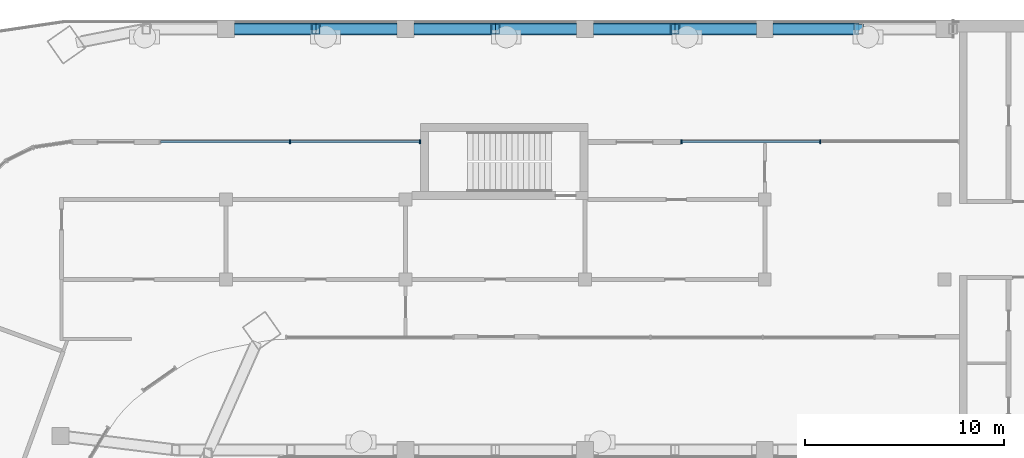
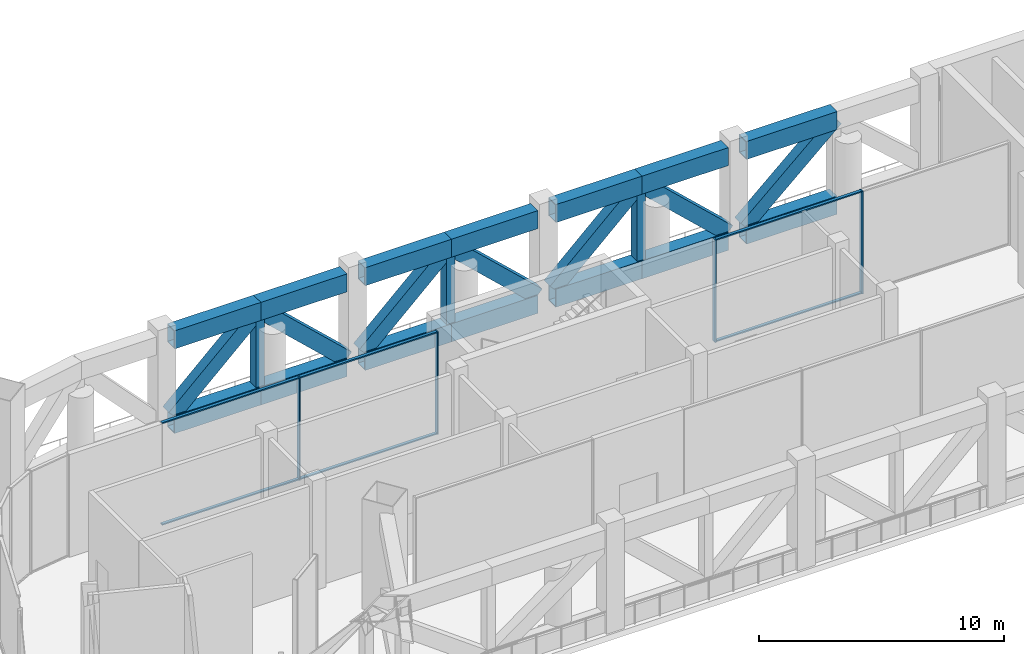
# One storey, part 5 of 19: 34 members, 2 elements without a shape of their own.
"""IFC4 building model written with IfcOpenShell, lengths in metres."""

import ifcopenshell
import ifcopenshell.guid

model = None  # the IFC model being written
_history = None  # IfcOwnerHistory: only IFC2X3 demands one
_inside = {}  # id of a spatial element -> (the spatial element, [elements in it])
_under = {}  # id of a project, library or spatial element -> (it, [spatial elements below it])
_declared = {}  # id of a project -> (the project, [libraries it declares])
_typed = {}  # id of a type object -> (the type object, [elements of that type])
_made_of = {}  # id of a material, layer set ... -> (it, [elements and type objects made of it])


def new_model(schema):
    """Start an empty IFC model of exactly this schema.

    Asked for "IFC4X3", IfcOpenShell would pick the latest addendum, in which some entities
    have other attributes; the version numbers below select the first issue.
    IFC2X3 requires an IfcOwnerHistory on every rooted entity: one is made here for all.
    """
    global model, _history
    if schema == "IFC4X3":
        model = ifcopenshell.file(schema_version=(4, 3, 0, 0))
    else:
        model = ifcopenshell.file(schema=schema)
    _inside.clear()
    _under.clear()
    _declared.clear()
    _typed.clear()
    _made_of.clear()
    _history = None
    if model.schema == "IFC2X3":
        org = make("IfcOrganization", Name="unknown")
        user = make(
            "IfcPersonAndOrganization",
            ThePerson=make("IfcPerson", FamilyName="unknown"),
            TheOrganization=org,
        )
        app = make(
            "IfcApplication",
            ApplicationDeveloper=org,
            Version="unknown",
            ApplicationFullName="unknown",
            ApplicationIdentifier="unknown",
        )
        _history = make(
            "IfcOwnerHistory",
            OwningUser=user,
            OwningApplication=app,
            ChangeAction="ADDED",
            CreationDate=0,
        )
    return model


def make(cls, **values):
    """One entity of the class cls with the attributes given. An attribute that is None is left unset."""
    return model.create_entity(
        cls, **{name: value for name, value in values.items() if value is not None}
    )


def rooted(cls, **values):
    """An entity with a GlobalId (a new one), such as an element, a storey or a relation."""
    return make(cls, GlobalId=ifcopenshell.guid.new(), OwnerHistory=_history, **values)


def si_unit(unit_type, name, prefix=None):
    """IfcSIUnit, for example si_unit("LENGTHUNIT", "METRE", prefix="MILLI")."""
    return make("IfcSIUnit", UnitType=unit_type, Prefix=prefix, Name=name)


def assignment(units):
    """IfcUnitAssignment: the units of a project."""
    return None if units is None else make("IfcUnitAssignment", Units=units)


def point(xyz):
    """IfcCartesianPoint."""
    return None if xyz is None else make("IfcCartesianPoint", Coordinates=xyz)


def direction(xyz):
    """IfcDirection."""
    return None if xyz is None else make("IfcDirection", DirectionRatios=xyz)


def frame(location, z_axis=None, x_axis=None):
    """IfcAxis2Placement3D, a coordinate frame: its origin and axes. An axis left out is left unset."""
    return make(
        "IfcAxis2Placement3D",
        Location=point(location),
        Axis=direction(z_axis),
        RefDirection=direction(x_axis),
    )


def frame_2d(location, x_axis=None):
    """IfcAxis2Placement2D, a coordinate frame in the plane: its origin and x axis."""
    return make(
        "IfcAxis2Placement2D", Location=point(location), RefDirection=direction(x_axis)
    )


def origin():
    """The frame at (0, 0, 0) with its axes left unset."""
    return frame((0.0, 0.0, 0.0))


def origin_2d():
    """The frame at (0, 0) in the plane with its x axis left unset."""
    return frame_2d((0.0, 0.0))


def place(relative_to, where):
    """IfcLocalPlacement: puts the frame where relative to a parent placement (None: the world)."""
    return make(
        "IfcLocalPlacement", PlacementRelTo=relative_to, RelativePlacement=where
    )


def context(
    kind, dimensions, precision=None, world=None, true_north=None, identifier=None
):
    """IfcGeometricRepresentationContext, for example the 3D "Model" context."""
    return make(
        "IfcGeometricRepresentationContext",
        ContextIdentifier=identifier,
        ContextType=kind,
        CoordinateSpaceDimension=dimensions,
        Precision=precision,
        WorldCoordinateSystem=world,
        TrueNorth=true_north,
    )


def subcontext(parent, identifier, kind, view, scale=None):
    """IfcGeometricRepresentationSubContext, for example "Body" below "Model"."""
    return make(
        "IfcGeometricRepresentationSubContext",
        ContextIdentifier=identifier,
        ContextType=kind,
        ParentContext=parent,
        TargetScale=scale,
        TargetView=view,
    )


def project(units=None, contexts=None):
    """IfcProject with its units and contexts."""
    return rooted(
        "IfcProject",
        Name="project",
        RepresentationContexts=contexts,
        UnitsInContext=assignment(units),
    )


def spatial(cls, under=None, at=None, **own):
    """A site, building, storey or space (cls), placed at a placement, below another one or the project."""
    s = rooted(cls, ObjectPlacement=at, **own)
    if under is not None:
        _under.setdefault(under.id(), (under, []))[1].append(s)
    return s


def profile(cls, at=None, kind="AREA", **sizes):
    """A parametric profile (cls). Its sizes go by their IFC names, for example OverallWidth=200.0."""
    return make(cls, ProfileType=kind, Position=at, **sizes)


def rectangle(**sizes):
    """IfcRectangleProfileDef."""
    return profile("IfcRectangleProfileDef", **sizes)


def hollow_rectangle(**sizes):
    """IfcRectangleHollowProfileDef."""
    return profile("IfcRectangleHollowProfileDef", **sizes)


def extrude(swept, where, along, depth):
    """IfcExtrudedAreaSolid: the profile swept, set in the frame where, extruded along a direction by depth."""
    return make(
        "IfcExtrudedAreaSolid",
        SweptArea=swept,
        Position=where,
        ExtrudedDirection=direction(along),
        Depth=depth,
    )


def shape(context_of_items, identifier, shape_type, items):
    """IfcShapeRepresentation: the items that make up one representation, for example the "Body"."""
    return make(
        "IfcShapeRepresentation",
        ContextOfItems=context_of_items,
        RepresentationIdentifier=identifier,
        RepresentationType=shape_type,
        Items=items,
    )


def material(Name=None, Category=None):
    """IfcMaterial."""
    return make("IfcMaterial", Name=Name, Category=Category)


def material_profile(
    of_material, cross_section, Name=None, Category=None, Priority=None
):
    """IfcMaterialProfile: a cross section and its material."""
    return make(
        "IfcMaterialProfile",
        Name=Name,
        Material=of_material,
        Profile=cross_section,
        Priority=Priority,
        Category=Category,
    )


def profile_set(profiles, Name=None, composite=None):
    """IfcMaterialProfileSet."""
    return make(
        "IfcMaterialProfileSet",
        Name=Name,
        MaterialProfiles=profiles,
        CompositeProfile=composite,
    )


def made_of(thing, what):
    """Note that an element or type object is made of a material, layer set ...; save() writes the relation."""
    if what is not None:
        _made_of.setdefault(what.id(), (what, []))[1].append(thing)
    return thing


def type_object(cls, material=None, **own):
    """A type object (cls), such as IfcWallType, which elements share."""
    return made_of(rooted(cls, **own), material)


def element(
    cls,
    number,
    at=None,
    inside=None,
    cuts=None,
    type_object=None,
    material=None,
    context=None,
    identifier="Body",
    shape_type=None,
    held_by="IfcProductDefinitionShape",
    body=None,
    shapes=None,
    **own,
):
    """One element of the class cls, such as IfcWall. Its Tag is "e" and its number.

    at: its placement. inside: the storey or other place that contains it. cuts: it is an
    opening in that element (IfcRelVoidsElement). A single representation is given by context,
    identifier, shape_type and body (its items); several are given by shapes. held_by: the class
    of the entity that holds the representations. save() writes the other relations.
    """
    e = rooted(cls, Tag="e%d" % number, ObjectPlacement=at, **own)
    if body is not None:
        shapes = [shape(context, identifier, shape_type, body)]
    if shapes is not None:
        e.Representation = make(held_by, Representations=shapes)
    if inside is not None:
        _inside.setdefault(inside.id(), (inside, []))[1].append(e)
    if cuts is not None:
        rooted(
            "IfcRelVoidsElement", RelatingBuildingElement=cuts, RelatedOpeningElement=e
        )
    if type_object is not None:
        _typed.setdefault(type_object.id(), (type_object, []))[1].append(e)
    return made_of(e, material)


def aggregate(whole, parts):
    """IfcRelAggregates: a whole, such as a stair, and the parts it consists of."""
    return rooted("IfcRelAggregates", RelatingObject=whole, RelatedObjects=parts)


def save(model, path):
    """Write the relations noted so far, then the file.

    IfcRelAggregates (storeys below a building ...), IfcRelContainedInSpatialStructure (elements
    in a storey), IfcRelDefinesByType, IfcRelAssociatesMaterial and IfcRelDeclares: one each for
    every whole, place, type object, material and project.
    """
    for whole, parts in _under.values():
        aggregate(whole, parts)
    for where, things in _inside.values():
        rooted(
            "IfcRelContainedInSpatialStructure",
            RelatedElements=things,
            RelatingStructure=where,
        )
    for kind, things in _typed.values():
        rooted("IfcRelDefinesByType", RelatedObjects=things, RelatingType=kind)
    for what, things in _made_of.values():
        rooted("IfcRelAssociatesMaterial", RelatedObjects=things, RelatingMaterial=what)
    for by, libraries in _declared.values():
        rooted("IfcRelDeclares", RelatingContext=by, RelatedDefinitions=libraries)
    model.write(path)


model = new_model("IFC4")

# Units and contexts
model_context = context("Model", 3, precision=1e-05, world=origin(), true_north=direction((0.0, 1.0)))
body_context = subcontext(model_context, "Body", "Model", "MODEL_VIEW")
ifc_project = project(units=[si_unit("LENGTHUNIT", "METRE"), si_unit("AREAUNIT", "SQUARE_METRE"), si_unit("VOLUMEUNIT", "CUBIC_METRE"), si_unit("PLANEANGLEUNIT", "RADIAN"), si_unit("MASSUNIT", "GRAM", prefix="KILO")], contexts=[model_context])

# Site, building, storey
site_placement = place(None, origin())
site = spatial("IfcSite", under=ifc_project, at=site_placement, CompositionType="ELEMENT")
building_placement = place(site_placement, origin())
building = spatial("IfcBuilding", under=site, at=building_placement, Name="Skarvind Civic Tower", CompositionType="ELEMENT")
storey_placement = place(building_placement, frame((0.0, 0.0, 129.0)))
storey = spatial("IfcBuildingStorey", under=building, at=storey_placement, Name="L30", CompositionType="ELEMENT", Elevation=129.0)

# Curtain wall, members
ifc_material_1 = material(Name="Aluminium alloy 6063 and laminated glass", Category="aluminium")
curtain_wall_type = type_object("IfcCurtainWallType", Name="CW3 SEPARATOR INNER GLAZING", PredefinedType="NOTDEFINED", material=ifc_material_1)
curtain_wall_1_placement = place(storey_placement, origin())
curtain_wall_1 = element("IfcCurtainWall", 1, at=curtain_wall_1_placement, inside=storey, type_object=curtain_wall_type, Name="SEPARATOR INNER GLAZING", PredefinedType="NOTDEFINED")
ifc_material_2 = material(Name="Aluminium alloy 6063", Category="aluminium")
ifc_material_profile_1 = material_profile(ifc_material_2, rectangle(XDim=0.199951171875, YDim=0.06005859375, at=origin_2d()), Name="AL 60x200")
ifc_profile_set_1 = profile_set([ifc_material_profile_1], Name="Aluminium alloy 6063")
member_type_1 = type_object("IfcMemberType", Name="CW3 MULLION 60x200", PredefinedType="MULLION", material=ifc_profile_set_1)
member_1_placement = place(storey_placement, frame((77.080078125, 132.89990234375, 0.0), z_axis=(0.0, 0.0, 1.0), x_axis=(0.0, 1.0, 0.0)))
member_1 = element("IfcMember", 2, at=member_1_placement, type_object=member_type_1, Name="CW3 mullion 1", PredefinedType="MULLION", context=body_context, shape_type="SweptSolid", body=[
    extrude(rectangle(XDim=0.199951171875, YDim=0.06005859375, at=origin_2d()), origin(), (0.0, 0.0, 1.0), 5.125),
])
member_2_placement = place(storey_placement, frame((84.02490234375, 132.89990234375, 0.0), z_axis=(0.0, 0.0, 1.0), x_axis=(0.0, 1.0, 0.0)))
member_2 = element("IfcMember", 3, at=member_2_placement, type_object=member_type_1, Name="CW3 mullion 2", PredefinedType="MULLION", context=body_context, shape_type="SweptSolid", body=[
    extrude(rectangle(XDim=0.199951171875, YDim=0.06005859375, at=origin_2d()), origin(), (0.0, 0.0, 1.0), 5.125),
])

curtain_wall_2_placement = place(storey_placement, origin())
curtain_wall_2 = element("IfcCurtainWall", 4, at=curtain_wall_2_placement, inside=storey, type_object=curtain_wall_type, Name="SEPARATOR INNER GLAZING", PredefinedType="NOTDEFINED")
member_3_placement = place(storey_placement, frame((57.4521484375, 132.89990234375, 0.0), z_axis=(0.0, 0.0, 1.0), x_axis=(0.0, 1.0, 0.0)))
member_3 = element("IfcMember", 5, at=member_3_placement, type_object=member_type_1, Name="CW3 mullion 2", PredefinedType="MULLION", context=body_context, shape_type="SweptSolid", body=[
    extrude(rectangle(XDim=0.199951171875, YDim=0.06005859375, at=origin_2d()), origin(), (0.0, 0.0, 1.0), 5.125),
])
member_4_placement = place(storey_placement, frame((63.969970703125, 132.89990234375, 0.0), z_axis=(0.0, 0.0, 1.0), x_axis=(0.0, 1.0, 0.0)))
member_4 = element("IfcMember", 6, at=member_4_placement, type_object=member_type_1, Name="CW3 mullion 3", PredefinedType="MULLION", context=body_context, shape_type="SweptSolid", body=[
    extrude(rectangle(XDim=0.199951171875, YDim=0.06005859375, at=origin_2d()), origin(), (0.0, 0.0, 1.0), 5.125),
])

# Member
ifc_material_profile_2 = material_profile(ifc_material_2, rectangle(XDim=0.139892578125, YDim=0.06005859375, at=origin_2d()), Name="AL 60x140")
ifc_profile_set_2 = profile_set([ifc_material_profile_2], Name="Aluminium alloy 6063")
member_type_2 = type_object("IfcMemberType", Name="CW3 TRANSOM 60x140", PredefinedType="USERDEFINED", material=ifc_profile_set_2)
member_5_placement = place(storey_placement, frame((77.110107421875, 132.89990234375, 0.030029296875), z_axis=(1.0, 0.0, 0.0), x_axis=(0.0, 1.0, 0.0)))
member_5 = element("IfcMember", 7, at=member_5_placement, type_object=member_type_2, Name="CW3 transom 1.1", ObjectType="TRANSOM", PredefinedType="USERDEFINED", context=body_context, shape_type="SweptSolid", body=[
    extrude(rectangle(XDim=0.139892578125, YDim=0.06005859375, at=origin_2d()), origin(), (0.0, 0.0, 1.0), 6.885009765625),
])

member_6_placement = place(storey_placement, frame((77.110107421875, 132.89990234375, 5.094970703125), z_axis=(1.0, 0.0, 0.0), x_axis=(0.0, 1.0, 0.0)))
member_6 = element("IfcMember", 8, at=member_6_placement, type_object=member_type_2, Name="CW3 transom 1.2", ObjectType="TRANSOM", PredefinedType="USERDEFINED", context=body_context, shape_type="SweptSolid", body=[
    extrude(rectangle(XDim=0.139892578125, YDim=0.06005859375, at=origin_2d()), origin(), (0.0, 0.0, 1.0), 6.885009765625),
])

aggregate(curtain_wall_1, [member_1, member_2, member_5, member_6])

member_7_placement = place(storey_placement, frame((50.96435546875, 132.89990234375, 0.030029296875), z_axis=(1.0, 0.0, 0.0), x_axis=(0.0, 1.0, 0.0)))
member_7 = element("IfcMember", 9, at=member_7_placement, type_object=member_type_2, Name="CW3 transom 1.1", ObjectType="TRANSOM", PredefinedType="USERDEFINED", context=body_context, shape_type="SweptSolid", body=[
    extrude(rectangle(XDim=0.139892578125, YDim=0.06005859375, at=origin_2d()), origin(), (0.0, 0.0, 1.0), 6.457763671875),
])

member_8_placement = place(storey_placement, frame((50.96435546875, 132.89990234375, 5.094970703125), z_axis=(1.0, 0.0, 0.0), x_axis=(0.0, 1.0, 0.0)))
member_8 = element("IfcMember", 10, at=member_8_placement, type_object=member_type_2, Name="CW3 transom 1.2", ObjectType="TRANSOM", PredefinedType="USERDEFINED", context=body_context, shape_type="SweptSolid", body=[
    extrude(rectangle(XDim=0.139892578125, YDim=0.06005859375, at=origin_2d()), origin(), (0.0, 0.0, 1.0), 6.457763671875),
])

member_9_placement = place(storey_placement, frame((57.482177734375, 132.89990234375, 0.030029296875), z_axis=(1.0, 0.0, 0.0), x_axis=(0.0, 1.0, 0.0)))
member_9 = element("IfcMember", 11, at=member_9_placement, type_object=member_type_2, Name="CW3 transom 2.1", ObjectType="TRANSOM", PredefinedType="USERDEFINED", context=body_context, shape_type="SweptSolid", body=[
    extrude(rectangle(XDim=0.139892578125, YDim=0.06005859375, at=origin_2d()), origin(), (0.0, 0.0, 1.0), 6.457763671875),
])

member_10_placement = place(storey_placement, frame((57.482177734375, 132.89990234375, 5.094970703125), z_axis=(1.0, 0.0, 0.0), x_axis=(0.0, 1.0, 0.0)))
member_10 = element("IfcMember", 12, at=member_10_placement, type_object=member_type_2, Name="CW3 transom 2.2", ObjectType="TRANSOM", PredefinedType="USERDEFINED", context=body_context, shape_type="SweptSolid", body=[
    extrude(rectangle(XDim=0.139892578125, YDim=0.06005859375, at=origin_2d()), origin(), (0.0, 0.0, 1.0), 6.457763671875),
])

aggregate(curtain_wall_2, [member_3, member_4, member_7, member_8, member_9, member_10])

# Members
ifc_material_3 = material(Name="Steel SM355", Category="steel")
ifc_material_profile_3 = material_profile(ifc_material_3, hollow_rectangle(XDim=0.60009765625, YDim=0.89990234375, WallThickness=0.0400390625, at=origin_2d()), Name="BOX-900x600x40")
ifc_profile_set_3 = profile_set([ifc_material_profile_3], Name="Steel SM355")
member_type_3 = type_object("IfcMemberType", Name="Truss chord BOX-900x600x40 SM355", PredefinedType="CHORD", material=ifc_profile_set_3)
for number, where, z_axis, x_axis, name in (
    (13, (54.675048828125, 138.550048828125, 0.449951171875), (1.0, 0.0, 0.0), (0.0, 1.0, 0.0), "Outrigger truss L30 W1N chord"),
    (14, (54.675048828125, 138.550048828125, 4.675048828125), (1.0, 0.0, 0.0), (0.0, 1.0, 0.0), "Outrigger truss L30 W1N chord"),
    (15, (58.75, 138.550048828125, 0.449951171875), (1.0, 0.0, 0.0), (0.0, 1.0, 0.0), "Outrigger truss L30 W1N chord"),
    (16, (58.75, 138.550048828125, 4.675048828125), (1.0, 0.0, 0.0), (0.0, 1.0, 0.0), "Outrigger truss L30 W1N chord"),
    (17, (63.675048828125, 138.550048828125, 0.449951171875), (1.0, 0.0, 0.0), (0.0, 1.0, 0.0), "Outrigger truss L30 W1N chord"),
    (18, (63.675048828125, 138.550048828125, 4.675048828125), (1.0, 0.0, 0.0), (0.0, 1.0, 0.0), "Outrigger truss L30 W1N chord"),
    (19, (67.75, 138.550048828125, 0.449951171875), (1.0, 0.0, 0.0), (0.0, 1.0, 0.0), "Outrigger truss L30 W1N chord"),
    (20, (67.75, 138.550048828125, 4.675048828125), (1.0, 0.0, 0.0), (0.0, 1.0, 0.0), "Outrigger truss L30 W1N chord"),
    (21, (72.675048828125, 138.550048828125, 0.449951171875), (1.0, 0.0, 0.0), (0.0, 1.0, 0.0), "Outrigger truss L30 W1N chord"),
    (22, (72.675048828125, 138.550048828125, 4.675048828125), (1.0, 0.0, 0.0), (0.0, 1.0, 0.0), "Outrigger truss L30 W1N chord"),
    (23, (76.75, 138.550048828125, 0.449951171875), (1.0, 0.0, 0.0), (0.0, 1.0, 0.0), "Outrigger truss L30 W1N chord"),
    (24, (76.75, 138.550048828125, 4.675048828125), (1.0, 0.0, 0.0), (0.0, 1.0, 0.0), "Outrigger truss L30 W1N chord"),
):
    element("IfcMember", number, at=place(storey_placement, frame(where, z_axis=z_axis, x_axis=x_axis)), inside=storey, type_object=member_type_3, Name=name, PredefinedType="CHORD", context=body_context, shape_type="SweptSolid", body=[
        extrude(hollow_rectangle(XDim=0.60009765625, YDim=0.89990234375, WallThickness=0.0400390625, at=origin_2d()), origin(), (0.0, 0.0, 1.0), 4.074951171875),
    ])
for number, where, z_axis, x_axis, name in (
    (25, (81.675048828125, 138.550048828125, 0.449951171875), (1.0, 0.0, 0.0), (0.0, 1.0, 0.0), "Outrigger truss L30 W1N chord"),
    (26, (81.675048828125, 138.550048828125, 4.675048828125), (1.0, 0.0, 0.0), (0.0, 1.0, 0.0), "Outrigger truss L30 W1N chord"),
):
    element("IfcMember", number, at=place(storey_placement, frame(where, z_axis=z_axis, x_axis=x_axis)), inside=storey, type_object=member_type_3, Name=name, PredefinedType="CHORD", context=body_context, shape_type="SweptSolid", body=[
        extrude(hollow_rectangle(XDim=0.60009765625, YDim=0.89990234375, WallThickness=0.0400390625, at=origin_2d()), origin(), (0.0, 0.0, 1.0), 4.287353515625),
    ])
ifc_material_profile_4 = material_profile(ifc_material_3, hollow_rectangle(XDim=0.5, YDim=0.699951171875, WallThickness=0.028076171875, at=origin_2d()), Name="BOX-700x500x28")
ifc_profile_set_4 = profile_set([ifc_material_profile_4], Name="Steel SM355")
member_type_4 = type_object("IfcMemberType", Name="Truss diagonal BOX-700x500x28 SM355", PredefinedType="BRACE", material=ifc_profile_set_4)
for number, where, z_axis, x_axis, name in (
    (27, (54.675048828125, 138.550048828125, 0.84912109375), (0.72903166448, 0.0, 0.684479972085), (0.0, 1.0, 0.0), "Outrigger truss L30 W1N diagonal"),
    (28, (58.75, 138.550048828125, 4.675048828125), (0.72903166448, 0.0, -0.684479972085), (0.0, 1.0, 0.0), "Outrigger truss L30 W1N diagonal"),
    (29, (63.675048828125, 138.550048828125, 0.84912109375), (0.72903166448, 0.0, 0.684479972085), (0.0, 1.0, 0.0), "Outrigger truss L30 W1N diagonal"),
    (30, (67.75, 138.550048828125, 4.675048828125), (0.72903166448, 0.0, -0.684479972085), (0.0, 1.0, 0.0), "Outrigger truss L30 W1N diagonal"),
    (31, (72.675048828125, 138.550048828125, 0.84912109375), (0.72903166448, 0.0, 0.684479972085), (0.0, 1.0, 0.0), "Outrigger truss L30 W1N diagonal"),
    (32, (76.75, 138.550048828125, 4.675048828125), (0.72903166448, 0.0, -0.684479972085), (0.0, 1.0, 0.0), "Outrigger truss L30 W1N diagonal"),
):
    element("IfcMember", number, at=place(storey_placement, frame(where, z_axis=z_axis, x_axis=x_axis)), inside=storey, type_object=member_type_4, Name=name, PredefinedType="BRACE", context=body_context, shape_type="SweptSolid", body=[
        extrude(hollow_rectangle(XDim=0.5, YDim=0.699951171875, WallThickness=0.028076171875, at=origin_2d()), origin(), (0.0, 0.0, 1.0), 5.589599609375),
    ])
member_11_placement = place(storey_placement, frame((81.675048828125, 138.550048828125, 0.8310546875), z_axis=(0.744555633807, 0.0, 0.667560415368), x_axis=(0.0, 1.0, 0.0)))
element("IfcMember", 33, at=member_11_placement, inside=storey, type_object=member_type_4, Name="Outrigger truss L30 W1N diagonal", PredefinedType="BRACE", context=body_context, shape_type="SweptSolid", body=[
    extrude(hollow_rectangle(XDim=0.5, YDim=0.699951171875, WallThickness=0.028076171875, at=origin_2d()), origin(), (0.0, 0.0, 1.0), 5.75830078125),
])
ifc_material_profile_5 = material_profile(ifc_material_3, hollow_rectangle(XDim=0.39990234375, YDim=0.5, WallThickness=0.02001953125, at=origin_2d()), Name="BOX-500x400x20")
ifc_profile_set_5 = profile_set([ifc_material_profile_5], Name="Steel SM355")
member_type_5 = type_object("IfcMemberType", Name="Truss post BOX-500x400x20 SM355", PredefinedType="POST", material=ifc_profile_set_5)
for number, where, z_axis, x_axis, name in (
    (34, (58.75, 138.550048828125, 0.449951171875), (0.0, 0.0, 1.0), (1.0, 0.0, 0.0), "Outrigger truss L30 W1N post"),
    (35, (67.75, 138.550048828125, 0.449951171875), (0.0, 0.0, 1.0), (1.0, 0.0, 0.0), "Outrigger truss L30 W1N post"),
    (36, (76.75, 138.550048828125, 0.449951171875), (0.0, 0.0, 1.0), (1.0, 0.0, 0.0), "Outrigger truss L30 W1N post"),
):
    element("IfcMember", number, at=place(storey_placement, frame(where, z_axis=z_axis, x_axis=x_axis)), inside=storey, type_object=member_type_5, Name=name, PredefinedType="POST", context=body_context, shape_type="SweptSolid", body=[
        extrude(hollow_rectangle(XDim=0.39990234375, YDim=0.5, WallThickness=0.02001953125, at=origin_2d()), origin(), (0.0, 0.0, 1.0), 4.22509765625),
    ])

save(model, "model.ifc")
